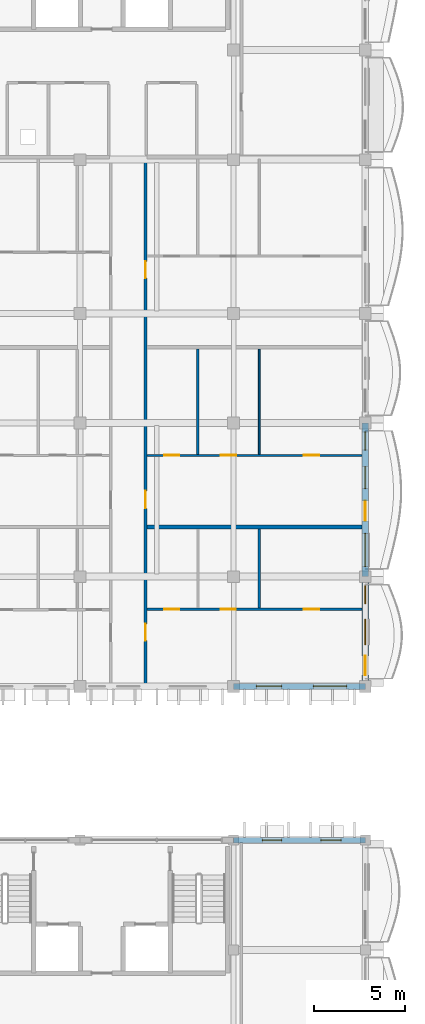
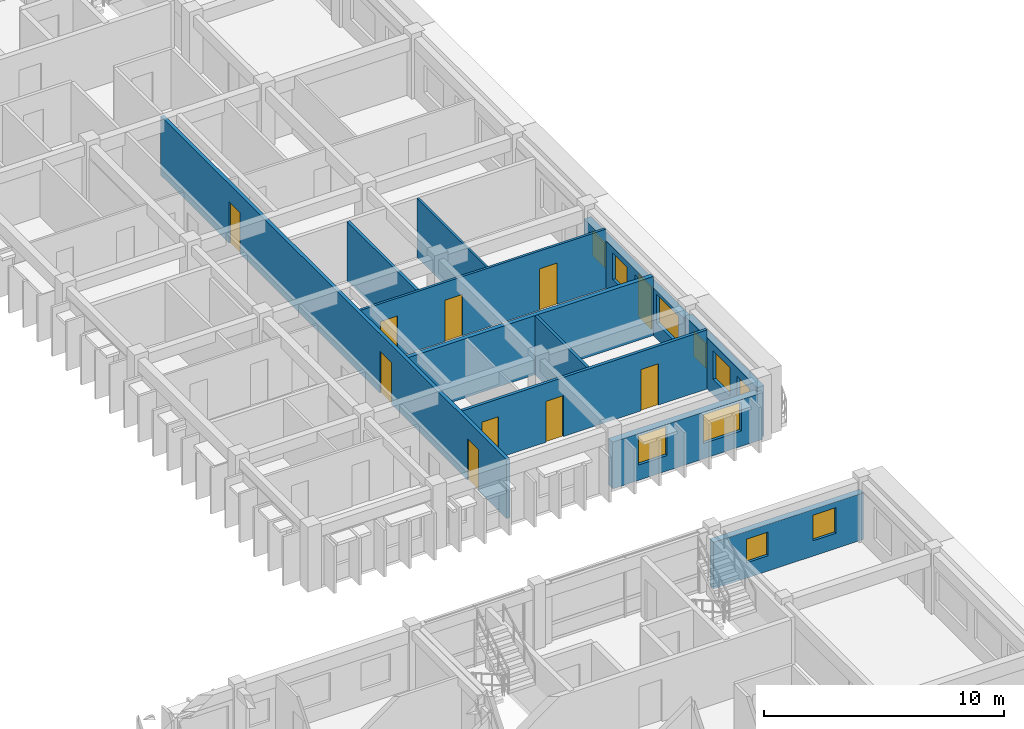
# One storey, part 36 of 70: 11 doors, 11 walls, 9 windows, 20 openings.
"""IFC4 building model written with IfcOpenShell, lengths in metres."""

import ifcopenshell
import ifcopenshell.guid

model = None  # the IFC model being written
_history = None  # IfcOwnerHistory: only IFC2X3 demands one
_inside = {}  # id of a spatial element -> (the spatial element, [elements in it])
_under = {}  # id of a project, library or spatial element -> (it, [spatial elements below it])
_declared = {}  # id of a project -> (the project, [libraries it declares])
_typed = {}  # id of a type object -> (the type object, [elements of that type])
_made_of = {}  # id of a material, layer set ... -> (it, [elements and type objects made of it])


def new_model(schema):
    """Start an empty IFC model of exactly this schema.

    Asked for "IFC4X3", IfcOpenShell would pick the latest addendum, in which some entities
    have other attributes; the version numbers below select the first issue.
    IFC2X3 requires an IfcOwnerHistory on every rooted entity: one is made here for all.
    """
    global model, _history
    if schema == "IFC4X3":
        model = ifcopenshell.file(schema_version=(4, 3, 0, 0))
    else:
        model = ifcopenshell.file(schema=schema)
    _inside.clear()
    _under.clear()
    _declared.clear()
    _typed.clear()
    _made_of.clear()
    _history = None
    if model.schema == "IFC2X3":
        org = make("IfcOrganization", Name="unknown")
        user = make(
            "IfcPersonAndOrganization",
            ThePerson=make("IfcPerson", FamilyName="unknown"),
            TheOrganization=org,
        )
        app = make(
            "IfcApplication",
            ApplicationDeveloper=org,
            Version="unknown",
            ApplicationFullName="unknown",
            ApplicationIdentifier="unknown",
        )
        _history = make(
            "IfcOwnerHistory",
            OwningUser=user,
            OwningApplication=app,
            ChangeAction="ADDED",
            CreationDate=0,
        )
    return model


def make(cls, **values):
    """One entity of the class cls with the attributes given. An attribute that is None is left unset."""
    return model.create_entity(
        cls, **{name: value for name, value in values.items() if value is not None}
    )


def rooted(cls, **values):
    """An entity with a GlobalId (a new one), such as an element, a storey or a relation."""
    return make(cls, GlobalId=ifcopenshell.guid.new(), OwnerHistory=_history, **values)


def si_unit(unit_type, name, prefix=None):
    """IfcSIUnit, for example si_unit("LENGTHUNIT", "METRE", prefix="MILLI")."""
    return make("IfcSIUnit", UnitType=unit_type, Prefix=prefix, Name=name)


def assignment(units):
    """IfcUnitAssignment: the units of a project."""
    return None if units is None else make("IfcUnitAssignment", Units=units)


def point(xyz):
    """IfcCartesianPoint."""
    return None if xyz is None else make("IfcCartesianPoint", Coordinates=xyz)


def direction(xyz):
    """IfcDirection."""
    return None if xyz is None else make("IfcDirection", DirectionRatios=xyz)


def frame(location, z_axis=None, x_axis=None):
    """IfcAxis2Placement3D, a coordinate frame: its origin and axes. An axis left out is left unset."""
    return make(
        "IfcAxis2Placement3D",
        Location=point(location),
        Axis=direction(z_axis),
        RefDirection=direction(x_axis),
    )


def frame_2d(location, x_axis=None):
    """IfcAxis2Placement2D, a coordinate frame in the plane: its origin and x axis."""
    return make(
        "IfcAxis2Placement2D", Location=point(location), RefDirection=direction(x_axis)
    )


def origin():
    """The frame at (0, 0, 0) with its axes left unset."""
    return frame((0.0, 0.0, 0.0))


def place(relative_to, where):
    """IfcLocalPlacement: puts the frame where relative to a parent placement (None: the world)."""
    return make(
        "IfcLocalPlacement", PlacementRelTo=relative_to, RelativePlacement=where
    )


def context(
    kind, dimensions, precision=None, world=None, true_north=None, identifier=None
):
    """IfcGeometricRepresentationContext, for example the 3D "Model" context."""
    return make(
        "IfcGeometricRepresentationContext",
        ContextIdentifier=identifier,
        ContextType=kind,
        CoordinateSpaceDimension=dimensions,
        Precision=precision,
        WorldCoordinateSystem=world,
        TrueNorth=true_north,
    )


def subcontext(parent, identifier, kind, view, scale=None):
    """IfcGeometricRepresentationSubContext, for example "Body" below "Model"."""
    return make(
        "IfcGeometricRepresentationSubContext",
        ContextIdentifier=identifier,
        ContextType=kind,
        ParentContext=parent,
        TargetScale=scale,
        TargetView=view,
    )


def project(units=None, contexts=None):
    """IfcProject with its units and contexts."""
    return rooted(
        "IfcProject",
        Name="project",
        RepresentationContexts=contexts,
        UnitsInContext=assignment(units),
    )


def spatial(cls, under=None, at=None, **own):
    """A site, building, storey or space (cls), placed at a placement, below another one or the project."""
    s = rooted(cls, ObjectPlacement=at, **own)
    if under is not None:
        _under.setdefault(under.id(), (under, []))[1].append(s)
    return s


def profile(cls, at=None, kind="AREA", **sizes):
    """A parametric profile (cls). Its sizes go by their IFC names, for example OverallWidth=200.0."""
    return make(cls, ProfileType=kind, Position=at, **sizes)


def rectangle(**sizes):
    """IfcRectangleProfileDef."""
    return profile("IfcRectangleProfileDef", **sizes)


def extrude(swept, where, along, depth):
    """IfcExtrudedAreaSolid: the profile swept, set in the frame where, extruded along a direction by depth."""
    return make(
        "IfcExtrudedAreaSolid",
        SweptArea=swept,
        Position=where,
        ExtrudedDirection=direction(along),
        Depth=depth,
    )


def shape(context_of_items, identifier, shape_type, items):
    """IfcShapeRepresentation: the items that make up one representation, for example the "Body"."""
    return make(
        "IfcShapeRepresentation",
        ContextOfItems=context_of_items,
        RepresentationIdentifier=identifier,
        RepresentationType=shape_type,
        Items=items,
    )


def material(Name=None, Category=None):
    """IfcMaterial."""
    return make("IfcMaterial", Name=Name, Category=Category)


def layer(
    of_material, thickness, ventilated=None, Name=None, Category=None, Priority=None
):
    """IfcMaterialLayer: one layer of a wall or slab, of a material (None: an air gap)."""
    return make(
        "IfcMaterialLayer",
        Material=of_material,
        LayerThickness=thickness,
        IsVentilated=ventilated,
        Name=Name,
        Category=Category,
        Priority=Priority,
    )


def layer_set(layers, Name=None):
    """IfcMaterialLayerSet."""
    return make("IfcMaterialLayerSet", MaterialLayers=layers, LayerSetName=Name)


def made_of(thing, what):
    """Note that an element or type object is made of a material, layer set ...; save() writes the relation."""
    if what is not None:
        _made_of.setdefault(what.id(), (what, []))[1].append(thing)
    return thing


def type_object(cls, material=None, **own):
    """A type object (cls), such as IfcWallType, which elements share."""
    return made_of(rooted(cls, **own), material)


def element(
    cls,
    number,
    at=None,
    inside=None,
    cuts=None,
    type_object=None,
    material=None,
    context=None,
    identifier="Body",
    shape_type=None,
    held_by="IfcProductDefinitionShape",
    body=None,
    shapes=None,
    **own,
):
    """One element of the class cls, such as IfcWall. Its Tag is "e" and its number.

    at: its placement. inside: the storey or other place that contains it. cuts: it is an
    opening in that element (IfcRelVoidsElement). A single representation is given by context,
    identifier, shape_type and body (its items); several are given by shapes. held_by: the class
    of the entity that holds the representations. save() writes the other relations.
    """
    e = rooted(cls, Tag="e%d" % number, ObjectPlacement=at, **own)
    if body is not None:
        shapes = [shape(context, identifier, shape_type, body)]
    if shapes is not None:
        e.Representation = make(held_by, Representations=shapes)
    if inside is not None:
        _inside.setdefault(inside.id(), (inside, []))[1].append(e)
    if cuts is not None:
        rooted(
            "IfcRelVoidsElement", RelatingBuildingElement=cuts, RelatedOpeningElement=e
        )
    if type_object is not None:
        _typed.setdefault(type_object.id(), (type_object, []))[1].append(e)
    return made_of(e, material)


def fill(opening, filler):
    """IfcRelFillsElement: the door or window that sits in an opening."""
    return rooted(
        "IfcRelFillsElement",
        RelatingOpeningElement=opening,
        RelatedBuildingElement=filler,
    )


def aggregate(whole, parts):
    """IfcRelAggregates: a whole, such as a stair, and the parts it consists of."""
    return rooted("IfcRelAggregates", RelatingObject=whole, RelatedObjects=parts)


def save(model, path):
    """Write the relations noted so far, then the file.

    IfcRelAggregates (storeys below a building ...), IfcRelContainedInSpatialStructure (elements
    in a storey), IfcRelDefinesByType, IfcRelAssociatesMaterial and IfcRelDeclares: one each for
    every whole, place, type object, material and project.
    """
    for whole, parts in _under.values():
        aggregate(whole, parts)
    for where, things in _inside.values():
        rooted(
            "IfcRelContainedInSpatialStructure",
            RelatedElements=things,
            RelatingStructure=where,
        )
    for kind, things in _typed.values():
        rooted("IfcRelDefinesByType", RelatedObjects=things, RelatingType=kind)
    for what, things in _made_of.values():
        rooted("IfcRelAssociatesMaterial", RelatedObjects=things, RelatingMaterial=what)
    for by, libraries in _declared.values():
        rooted("IfcRelDeclares", RelatingContext=by, RelatedDefinitions=libraries)
    model.write(path)


model = new_model("IFC4")

# Units and contexts
model_context = context("Model", 3, precision=1e-05, world=origin(), true_north=direction((0.0, 1.0)))
body_context = subcontext(model_context, "Body", "Model", "MODEL_VIEW")
ifc_project = project(units=[si_unit("LENGTHUNIT", "METRE"), si_unit("AREAUNIT", "SQUARE_METRE"), si_unit("VOLUMEUNIT", "CUBIC_METRE"), si_unit("PLANEANGLEUNIT", "RADIAN"), si_unit("MASSUNIT", "GRAM", prefix="KILO"), si_unit("THERMODYNAMICTEMPERATUREUNIT", "KELVIN")], contexts=[model_context])

# Site, building, storey
site_placement = place(None, origin())
site = spatial("IfcSite", under=ifc_project, at=site_placement, CompositionType="ELEMENT")
building_placement = place(site_placement, origin())
building = spatial("IfcBuilding", under=site, at=building_placement, Name="Thalorik Housing Commons", CompositionType="ELEMENT")
storey_placement = place(building_placement, frame((0.0, 0.0, 14.699951171875)))
storey = spatial("IfcBuildingStorey", under=building, at=storey_placement, Name="L04", CompositionType="ELEMENT", Elevation=14.699951171875)

# Wall, openings, doors
ifc_material_1 = material(Name="Masonry fire-rated corridor wall", Category="masonry")
ifc_layer_1 = layer(ifc_material_1, 0.1650390625, Name="Masonry fire-rated corridor wall", Category="masonry")
ifc_layer_set_1 = layer_set([ifc_layer_1], Name="Masonry fire-rated corridor wall")
wall_type_1 = type_object("IfcWallType", Name="ARC-WAL-CORR-165", PredefinedType="PARTITIONING", material=ifc_layer_set_1)
wall_1_placement = place(storey_placement, frame((161.97998046875, 80.569580078125, 0.0), z_axis=(0.0, 0.0, 1.0), x_axis=(0.0, 1.0, 0.0)))
wall_1 = element("IfcWall", 1, at=wall_1_placement, inside=storey, type_object=wall_type_1, Name="L04 Block B E Corridor Wall 2", PredefinedType="PARTITIONING", context=body_context, shape_type="SweptSolid", body=[
    extrude(rectangle(XDim=28.7705078125, YDim=0.1650390625, at=frame_2d((14.38525390625, 0.0))), origin(), (0.0, 0.0, 1.0), 3.0),
])
opening_1_placement = place(wall_1_placement, frame((2.33154296875, 0.0, 0.0)))
opening_1 = element("IfcOpeningElement", 2, at=opening_1_placement, cuts=wall_1, Name="Opening ID-1169", PredefinedType="OPENING", context=body_context, shape_type="SweptSolid", body=[
    extrude(rectangle(XDim=0.919921875, YDim=2.10009765625, at=frame_2d((0.4599609375, 1.050048828125))), frame((0.0, 0.092529296875, 0.0), z_axis=(0.0, -1.0, 0.0), x_axis=(1.0, 0.0, 0.0)), (0.0, 0.0, 1.0), 0.18505859375),
])
opening_2_placement = place(wall_1_placement, frame((9.5673828125, 0.0, 0.0)))
opening_2 = element("IfcOpeningElement", 3, at=opening_2_placement, cuts=wall_1, Name="Opening ID-1170", PredefinedType="OPENING", context=body_context, shape_type="SweptSolid", body=[
    extrude(rectangle(XDim=0.9599609375, YDim=2.1201171875, at=frame_2d((0.47998046875, 1.06005859375))), frame((0.0, 0.092529296875, 0.0), z_axis=(0.0, -1.0, 0.0), x_axis=(1.0, 0.0, 0.0)), (0.0, 0.0, 1.0), 0.18505859375),
])
opening_3_placement = place(wall_1_placement, frame((22.152587890625, 0.0, 0.0)))
opening_3 = element("IfcOpeningElement", 4, at=opening_3_placement, cuts=wall_1, Name="Opening ID-1171", PredefinedType="OPENING", context=body_context, shape_type="SweptSolid", body=[
    extrude(rectangle(XDim=0.919921875, YDim=2.10009765625, at=frame_2d((0.4599609375, 1.050048828125))), frame((0.0, 0.092529296875, 0.0), z_axis=(0.0, -1.0, 0.0), x_axis=(1.0, 0.0, 0.0)), (0.0, 0.0, 1.0), 0.18505859375),
])
ifc_material_2 = material(Name="Solid core hardwood timber", Category="wood")
door_type_1 = type_object("IfcDoorType", Name="ARC-DR-FD30-920", OperationType="NOTDEFINED", PredefinedType="DOOR", material=ifc_material_2)
door_1_placement = place(opening_1_placement, origin())
door_1 = element("IfcDoor", 5, at=door_1_placement, inside=storey, type_object=door_type_1, Name="L04 Flat BE-1B Entrance Door", OperationType="SINGLE_SWING_RIGHT", OverallHeight=2.10009765625, OverallWidth=0.919921875, PredefinedType="DOOR", context=body_context, shape_type="SweptSolid", body=[
    extrude(rectangle(XDim=0.919921875, YDim=2.10009765625, at=frame_2d((0.4599609375, 1.050048828125))), frame((0.0, 0.02490234375, 0.0), z_axis=(0.0, -1.0, 0.0), x_axis=(1.0, 0.0, 0.0)), (0.0, 0.0, 1.0), 0.050048828125),
])
fill(opening_1, door_1)
door_2_placement = place(opening_3_placement, origin())
door_2 = element("IfcDoor", 6, at=door_2_placement, inside=storey, type_object=door_type_1, Name="L04 Flat BE-3B Entrance Door", OperationType="SINGLE_SWING_RIGHT", OverallHeight=2.10009765625, OverallWidth=0.919921875, PredefinedType="DOOR", context=body_context, shape_type="SweptSolid", body=[
    extrude(rectangle(XDim=0.919921875, YDim=2.10009765625, at=frame_2d((0.4599609375, 1.050048828125))), frame((0.0, 0.02490234375, 0.0), z_axis=(0.0, -1.0, 0.0), x_axis=(1.0, 0.0, 0.0)), (0.0, 0.0, 1.0), 0.050048828125),
])
fill(opening_3, door_2)
door_type_2 = type_object("IfcDoorType", Name="ARC-DR-FD30-960", OperationType="NOTDEFINED", PredefinedType="DOOR", material=ifc_material_2)
door_3_placement = place(opening_2_placement, origin())
door_3 = element("IfcDoor", 7, at=door_3_placement, inside=storey, type_object=door_type_2, Name="L04 Flat BE-2B Entrance Door", OperationType="SINGLE_SWING_LEFT", OverallHeight=2.1201171875, OverallWidth=0.9599609375, PredefinedType="DOOR", context=body_context, shape_type="SweptSolid", body=[
    extrude(rectangle(XDim=0.9599609375, YDim=2.1201171875, at=frame_2d((0.47998046875, 1.06005859375))), frame((0.0, 0.02490234375, 0.0), z_axis=(0.0, -1.0, 0.0), x_axis=(1.0, 0.0, 0.0)), (0.0, 0.0, 1.0), 0.050048828125),
])
fill(opening_2, door_3)

# Wall, openings, windows
ifc_material_3 = material(Name="White precast concrete C40/50", Category="concrete")
ifc_layer_2 = layer(ifc_material_3, 0.304931640625, Name="White precast concrete C40/50", Category="concrete")
ifc_layer_set_2 = layer_set([ifc_layer_2], Name="White precast concrete C40/50")
wall_type_2 = type_object("IfcWallType", Name="ARC-WAL-EXT-305", PredefinedType="STANDARD", material=ifc_layer_set_2)
wall_2_placement = place(storey_placement, frame((174.0, 72.0, 0.0), z_axis=(0.0, 0.0, 1.0), x_axis=(-1.0, 0.0, 0.0)))
wall_2 = element("IfcWall", 8, at=wall_2_placement, inside=storey, type_object=wall_type_2, Name="L04 Exterior Wall WAL-EXT-L04-D-1202", PredefinedType="STANDARD", context=body_context, shape_type="SweptSolid", body=[
    extrude(rectangle(XDim=7.199951171875, YDim=0.304931640625, at=frame_2d((3.60009765625, 0.0))), origin(), (0.0, 0.0, 1.0), 2.375),
])
opening_4_placement = place(wall_2_placement, frame((1.322509765625, 0.0, 0.780029296875)))
opening_4 = element("IfcOpeningElement", 9, at=opening_4_placement, cuts=wall_2, Name="Opening W-03", PredefinedType="OPENING", context=body_context, shape_type="SweptSolid", body=[
    extrude(rectangle(XDim=1.10009765625, YDim=1.300048828125, at=frame_2d((0.550048828125, 0.64990234375))), frame((0.0, 0.16259765625, 0.0), z_axis=(0.0, -1.0, 0.0), x_axis=(1.0, 0.0, 0.0)), (0.0, 0.0, 1.0), 0.324951171875),
])
opening_5_placement = place(wall_2_placement, frame((4.572509765625, 0.0, 0.780029296875)))
opening_5 = element("IfcOpeningElement", 10, at=opening_5_placement, cuts=wall_2, Name="Opening W-44", PredefinedType="OPENING", context=body_context, shape_type="SweptSolid", body=[
    extrude(rectangle(XDim=1.050048828125, YDim=1.199951171875, at=frame_2d((0.52490234375, 0.60009765625))), frame((0.0, 0.16259765625, 0.0), z_axis=(0.0, -1.0, 0.0), x_axis=(1.0, 0.0, 0.0)), (0.0, 0.0, 1.0), 0.324951171875),
])
ifc_material_4 = material(Name="Anodised aluminium and solar-control low-E glass", Category="aluminium")
window_type_1 = type_object("IfcWindowType", Name="ARC-WIN-03", PartitioningType="SINGLE_PANEL", PredefinedType="WINDOW", material=ifc_material_4)
window_1_placement = place(opening_4_placement, origin())
window_1 = element("IfcWindow", 11, at=window_1_placement, inside=storey, type_object=window_type_1, Name="L04 Facade Window 2199", OverallHeight=1.300048828125, OverallWidth=1.10009765625, PartitioningType="SINGLE_PANEL", PredefinedType="WINDOW", context=body_context, shape_type="SweptSolid", body=[
    extrude(rectangle(XDim=1.10009765625, YDim=1.300048828125, at=frame_2d((0.550048828125, 0.64990234375))), frame((0.0, 0.030029296875, 0.0), z_axis=(0.0, -1.0, 0.0), x_axis=(1.0, 0.0, 0.0)), (0.0, 0.0, 1.0), 0.06005859375),
])
fill(opening_4, window_1)
window_type_2 = type_object("IfcWindowType", Name="ARC-WIN-44", PartitioningType="SINGLE_PANEL", PredefinedType="WINDOW", material=ifc_material_4)
window_2_placement = place(opening_5_placement, origin())
window_2 = element("IfcWindow", 12, at=window_2_placement, inside=storey, type_object=window_type_2, Name="L04 Facade Window 2200", OverallHeight=1.199951171875, OverallWidth=1.050048828125, PartitioningType="SINGLE_PANEL", PredefinedType="WINDOW", context=body_context, shape_type="SweptSolid", body=[
    extrude(rectangle(XDim=1.050048828125, YDim=1.199951171875, at=frame_2d((0.52490234375, 0.60009765625))), frame((0.0, 0.030029296875, 0.0), z_axis=(0.0, -1.0, 0.0), x_axis=(1.0, 0.0, 0.0)), (0.0, 0.0, 1.0), 0.06005859375),
])
fill(opening_5, window_2)

ifc_layer_3 = layer(ifc_material_3, 0.3349609375, Name="White precast concrete C40/50", Category="concrete")
ifc_layer_set_3 = layer_set([ifc_layer_3], Name="White precast concrete C40/50")
wall_type_3 = type_object("IfcWallType", Name="ARC-WAL-EXT-335", PredefinedType="STANDARD", material=ifc_layer_set_3)
wall_3_placement = place(storey_placement, frame((166.800048828125, 80.39990234375, 0.0), z_axis=(0.0, 0.0, 1.0), x_axis=(1.0, 0.0, 0.0)))
wall_3 = element("IfcWall", 13, at=wall_3_placement, inside=storey, type_object=wall_type_3, Name="L04 Exterior Wall WAL-EXT-L04-B-0554", PredefinedType="STANDARD", context=body_context, shape_type="SweptSolid", body=[
    extrude(rectangle(XDim=7.199951171875, YDim=0.3349609375, at=frame_2d((3.60009765625, 0.0))), origin(), (0.0, 0.0, 1.0), 2.375),
])
opening_6_placement = place(wall_3_placement, frame((1.239990234375, 0.0, 0.780029296875)))
opening_6 = element("IfcOpeningElement", 14, at=opening_6_placement, cuts=wall_3, Name="Opening W-49", PredefinedType="OPENING", context=body_context, shape_type="SweptSolid", body=[
    extrude(rectangle(XDim=1.3798828125, YDim=1.47998046875, at=frame_2d((0.68994140625, 0.739990234375))), frame((0.0, 0.177490234375, 0.0), z_axis=(0.0, -1.0, 0.0), x_axis=(1.0, 0.0, 0.0)), (0.0, 0.0, 1.0), 0.35498046875),
])
opening_7_placement = place(wall_3_placement, frame((4.360107421875, 0.0, 0.780029296875)))
opening_7 = element("IfcOpeningElement", 15, at=opening_7_placement, cuts=wall_3, Name="Opening W-58", PredefinedType="OPENING", context=body_context, shape_type="SweptSolid", body=[
    extrude(rectangle(XDim=1.820068359375, YDim=1.4599609375, at=frame_2d((0.91015625, 0.72998046875))), frame((0.0, 0.177490234375, 0.0), z_axis=(0.0, -1.0, 0.0), x_axis=(1.0, 0.0, 0.0)), (0.0, 0.0, 1.0), 0.35498046875),
])
window_type_3 = type_object("IfcWindowType", Name="ARC-WIN-49", PartitioningType="SINGLE_PANEL", PredefinedType="WINDOW", material=ifc_material_4)
window_3_placement = place(opening_6_placement, origin())
window_3 = element("IfcWindow", 16, at=window_3_placement, inside=storey, type_object=window_type_3, Name="L04 Facade Window 1006", OverallHeight=1.47998046875, OverallWidth=1.3798828125, PartitioningType="SINGLE_PANEL", PredefinedType="WINDOW", context=body_context, shape_type="SweptSolid", body=[
    extrude(rectangle(XDim=1.3798828125, YDim=1.47998046875, at=frame_2d((0.68994140625, 0.739990234375))), frame((0.0, 0.030029296875, 0.0), z_axis=(0.0, -1.0, 0.0), x_axis=(1.0, 0.0, 0.0)), (0.0, 0.0, 1.0), 0.06005859375),
])
fill(opening_6, window_3)
window_type_4 = type_object("IfcWindowType", Name="ARC-WIN-58", PartitioningType="DOUBLE_PANEL_VERTICAL", PredefinedType="WINDOW", material=ifc_material_4)
window_4_placement = place(opening_7_placement, origin())
window_4 = element("IfcWindow", 17, at=window_4_placement, inside=storey, type_object=window_type_4, Name="L04 Facade Window 1007", OverallHeight=1.4599609375, OverallWidth=1.820068359375, PartitioningType="DOUBLE_PANEL_VERTICAL", PredefinedType="WINDOW", context=body_context, shape_type="SweptSolid", body=[
    extrude(rectangle(XDim=1.820068359375, YDim=1.4599609375, at=frame_2d((0.91015625, 0.72998046875))), frame((0.0, 0.030029296875, 0.0), z_axis=(0.0, -1.0, 0.0), x_axis=(1.0, 0.0, 0.0)), (0.0, 0.0, 1.0), 0.06005859375),
])
fill(opening_7, window_4)

# Wall, openings, door, windows
wall_4_placement = place(storey_placement, frame((174.0, 80.39990234375, 0.0), z_axis=(0.0, 0.0, 1.0), x_axis=(0.0, 1.0, 0.0)))
wall_4 = element("IfcWall", 18, at=wall_4_placement, inside=storey, type_object=wall_type_3, Name="L04 Exterior Wall WAL-EXT-L04-B-0555", PredefinedType="STANDARD", context=body_context, shape_type="SweptSolid", body=[
    extrude(rectangle(XDim=6.0, YDim=0.3349609375, at=frame_2d((3.0, 0.0))), origin(), (0.0, 0.0, 1.0), 2.574951171875),
])
opening_8_placement = place(wall_4_placement, frame((0.6201171875, 0.0, 0.0)))
opening_8 = element("IfcOpeningElement", 19, at=opening_8_placement, cuts=wall_4, Name="Opening ED-0170", PredefinedType="OPENING", context=body_context, shape_type="SweptSolid", body=[
    extrude(rectangle(XDim=1.050048828125, YDim=2.14990234375, at=frame_2d((0.52490234375, 1.074951171875))), frame((0.0, 0.177490234375, 0.0), z_axis=(0.0, -1.0, 0.0), x_axis=(1.0, 0.0, 0.0)), (0.0, 0.0, 1.0), 0.35498046875),
])
opening_9_placement = place(wall_4_placement, frame((2.268310546875, 0.0, 0.780029296875)))
opening_9 = element("IfcOpeningElement", 20, at=opening_9_placement, cuts=wall_4, Name="Opening W-08", PredefinedType="OPENING", context=body_context, shape_type="SweptSolid", body=[
    extrude(rectangle(XDim=1.39990234375, YDim=1.449951171875, at=frame_2d((0.699951171875, 0.72509765625))), frame((0.0, 0.177490234375, 0.0), z_axis=(0.0, -1.0, 0.0), x_axis=(1.0, 0.0, 0.0)), (0.0, 0.0, 1.0), 0.35498046875),
])
opening_10_placement = place(wall_4_placement, frame((4.513427734375, 0.0, 0.780029296875)))
opening_10 = element("IfcOpeningElement", 21, at=opening_10_placement, cuts=wall_4, Name="Opening W-02", PredefinedType="OPENING", context=body_context, shape_type="SweptSolid", body=[
    extrude(rectangle(XDim=1.0, YDim=1.25, at=frame_2d((0.5, 0.625))), frame((0.0, 0.177490234375, 0.0), z_axis=(0.0, -1.0, 0.0), x_axis=(1.0, 0.0, 0.0)), (0.0, 0.0, 1.0), 0.35498046875),
])
ifc_material_5 = material(Name="Anodised aluminium and laminated safety glass", Category="aluminium")
door_type_3 = type_object("IfcDoorType", Name="ARC-DR-BAL-1050", OperationType="NOTDEFINED", PredefinedType="DOOR", material=ifc_material_5)
door_4_placement = place(opening_8_placement, frame((1.050048828125, 0.0, 0.0), z_axis=(0.0, 0.0, 1.0), x_axis=(-1.0, 0.0, 0.0)))
door_4 = element("IfcDoor", 22, at=door_4_placement, inside=storey, type_object=door_type_3, Name="L04 Block B Balcony Glazed Door", OperationType="SINGLE_SWING_LEFT", OverallHeight=2.14990234375, OverallWidth=1.050048828125, PredefinedType="DOOR", context=body_context, shape_type="SweptSolid", body=[
    extrude(rectangle(XDim=1.050048828125, YDim=2.14990234375, at=frame_2d((0.52490234375, 1.074951171875))), frame((0.0, 0.02490234375, 0.0), z_axis=(0.0, -1.0, 0.0), x_axis=(1.0, 0.0, 0.0)), (0.0, 0.0, 1.0), 0.050048828125),
])
fill(opening_8, door_4)
window_type_5 = type_object("IfcWindowType", Name="ARC-WIN-02", PartitioningType="SINGLE_PANEL", PredefinedType="WINDOW", material=ifc_material_4)
window_5_placement = place(opening_10_placement, origin())
window_5 = element("IfcWindow", 23, at=window_5_placement, inside=storey, type_object=window_type_5, Name="L04 Facade Window 1009", OverallHeight=1.25, OverallWidth=1.0, PartitioningType="SINGLE_PANEL", PredefinedType="WINDOW", context=body_context, shape_type="SweptSolid", body=[
    extrude(rectangle(XDim=1.0, YDim=1.25, at=frame_2d((0.5, 0.625))), frame((0.0, 0.030029296875, 0.0), z_axis=(0.0, -1.0, 0.0), x_axis=(1.0, 0.0, 0.0)), (0.0, 0.0, 1.0), 0.06005859375),
])
fill(opening_10, window_5)
window_type_6 = type_object("IfcWindowType", Name="ARC-WIN-08", PartitioningType="SINGLE_PANEL", PredefinedType="WINDOW", material=ifc_material_4)
window_6_placement = place(opening_9_placement, origin())
window_6 = element("IfcWindow", 24, at=window_6_placement, inside=storey, type_object=window_type_6, Name="L04 Facade Window 1008", OverallHeight=1.449951171875, OverallWidth=1.39990234375, PartitioningType="SINGLE_PANEL", PredefinedType="WINDOW", context=body_context, shape_type="SweptSolid", body=[
    extrude(rectangle(XDim=1.39990234375, YDim=1.449951171875, at=frame_2d((0.699951171875, 0.72509765625))), frame((0.0, 0.030029296875, 0.0), z_axis=(0.0, -1.0, 0.0), x_axis=(1.0, 0.0, 0.0)), (0.0, 0.0, 1.0), 0.06005859375),
])
fill(opening_9, window_6)

wall_5_placement = place(storey_placement, frame((174.0, 86.39990234375, 0.0), z_axis=(0.0, 0.0, 1.0), x_axis=(0.0, 1.0, 0.0)))
wall_5 = element("IfcWall", 25, at=wall_5_placement, inside=storey, type_object=wall_type_3, Name="L04 Exterior Wall WAL-EXT-L04-B-0556", PredefinedType="STANDARD", context=body_context, shape_type="SweptSolid", body=[
    extrude(rectangle(XDim=8.400146484375, YDim=0.3349609375, at=frame_2d((4.2001953125, 0.0))), origin(), (0.0, 0.0, 1.0), 2.425048828125),
])
opening_11_placement = place(wall_5_placement, frame((3.050048828125, 0.0, 0.0)))
opening_11 = element("IfcOpeningElement", 26, at=opening_11_placement, cuts=wall_5, Name="Opening ED-0171", PredefinedType="OPENING", context=body_context, shape_type="SweptSolid", body=[
    extrude(rectangle(XDim=1.10009765625, YDim=2.14990234375, at=frame_2d((0.550048828125, 1.074951171875))), frame((0.0, 0.177490234375, 0.0), z_axis=(0.0, -1.0, 0.0), x_axis=(1.0, 0.0, 0.0)), (0.0, 0.0, 1.0), 0.35498046875),
])
opening_12_placement = place(wall_5_placement, frame((0.544921875, 0.0, 0.780029296875)))
opening_12 = element("IfcOpeningElement", 27, at=opening_12_placement, cuts=wall_5, Name="Opening W-58", PredefinedType="OPENING", context=body_context, shape_type="SweptSolid", body=[
    extrude(rectangle(XDim=1.820068359375, YDim=1.4599609375, at=frame_2d((0.91015625, 0.72998046875))), frame((0.0, 0.177490234375, 0.0), z_axis=(0.0, -1.0, 0.0), x_axis=(1.0, 0.0, 0.0)), (0.0, 0.0, 1.0), 0.35498046875),
])
opening_13_placement = place(wall_5_placement, frame((4.81689453125, 0.0, 0.780029296875)))
opening_13 = element("IfcOpeningElement", 28, at=opening_13_placement, cuts=wall_5, Name="Opening W-04", PredefinedType="OPENING", context=body_context, shape_type="SweptSolid", body=[
    extrude(rectangle(XDim=1.199951171875, YDim=1.35009765625, at=frame_2d((0.60009765625, 0.675048828125))), frame((0.0, 0.177490234375, 0.0), z_axis=(0.0, -1.0, 0.0), x_axis=(1.0, 0.0, 0.0)), (0.0, 0.0, 1.0), 0.35498046875),
])
opening_14_placement = place(wall_5_placement, frame((6.921875, 0.0, 0.780029296875)))
opening_14 = element("IfcOpeningElement", 29, at=opening_14_placement, cuts=wall_5, Name="Opening W-02", PredefinedType="OPENING", context=body_context, shape_type="SweptSolid", body=[
    extrude(rectangle(XDim=1.0, YDim=1.25, at=frame_2d((0.5, 0.625))), frame((0.0, 0.177490234375, 0.0), z_axis=(0.0, -1.0, 0.0), x_axis=(1.0, 0.0, 0.0)), (0.0, 0.0, 1.0), 0.35498046875),
])
door_type_4 = type_object("IfcDoorType", Name="ARC-DR-BAL-1100", OperationType="NOTDEFINED", PredefinedType="DOOR", material=ifc_material_5)
door_5_placement = place(opening_11_placement, frame((1.10009765625, 0.0, 0.0), z_axis=(0.0, 0.0, 1.0), x_axis=(-1.0, 0.0, 0.0)))
door_5 = element("IfcDoor", 30, at=door_5_placement, inside=storey, type_object=door_type_4, Name="L04 Block B Balcony Glazed Door", OperationType="SINGLE_SWING_RIGHT", OverallHeight=2.14990234375, OverallWidth=1.10009765625, PredefinedType="DOOR", context=body_context, shape_type="SweptSolid", body=[
    extrude(rectangle(XDim=1.10009765625, YDim=2.14990234375, at=frame_2d((0.550048828125, 1.074951171875))), frame((0.0, 0.02490234375, 0.0), z_axis=(0.0, -1.0, 0.0), x_axis=(1.0, 0.0, 0.0)), (0.0, 0.0, 1.0), 0.050048828125),
])
fill(opening_11, door_5)
window_7_placement = place(opening_14_placement, origin())
window_7 = element("IfcWindow", 31, at=window_7_placement, inside=storey, type_object=window_type_5, Name="L04 Facade Window 1012", OverallHeight=1.25, OverallWidth=1.0, PartitioningType="SINGLE_PANEL", PredefinedType="WINDOW", context=body_context, shape_type="SweptSolid", body=[
    extrude(rectangle(XDim=1.0, YDim=1.25, at=frame_2d((0.5, 0.625))), frame((0.0, 0.030029296875, 0.0), z_axis=(0.0, -1.0, 0.0), x_axis=(1.0, 0.0, 0.0)), (0.0, 0.0, 1.0), 0.06005859375),
])
fill(opening_14, window_7)
window_type_7 = type_object("IfcWindowType", Name="ARC-WIN-04", PartitioningType="SINGLE_PANEL", PredefinedType="WINDOW", material=ifc_material_4)
window_8_placement = place(opening_13_placement, origin())
window_8 = element("IfcWindow", 32, at=window_8_placement, inside=storey, type_object=window_type_7, Name="L04 Facade Window 1011", OverallHeight=1.35009765625, OverallWidth=1.199951171875, PartitioningType="SINGLE_PANEL", PredefinedType="WINDOW", context=body_context, shape_type="SweptSolid", body=[
    extrude(rectangle(XDim=1.199951171875, YDim=1.35009765625, at=frame_2d((0.60009765625, 0.675048828125))), frame((0.0, 0.030029296875, 0.0), z_axis=(0.0, -1.0, 0.0), x_axis=(1.0, 0.0, 0.0)), (0.0, 0.0, 1.0), 0.06005859375),
])
fill(opening_13, window_8)
window_9_placement = place(opening_12_placement, origin())
window_9 = element("IfcWindow", 33, at=window_9_placement, inside=storey, type_object=window_type_4, Name="L04 Facade Window 1010", OverallHeight=1.4599609375, OverallWidth=1.820068359375, PartitioningType="DOUBLE_PANEL_VERTICAL", PredefinedType="WINDOW", context=body_context, shape_type="SweptSolid", body=[
    extrude(rectangle(XDim=1.820068359375, YDim=1.4599609375, at=frame_2d((0.91015625, 0.72998046875))), frame((0.0, 0.030029296875, 0.0), z_axis=(0.0, -1.0, 0.0), x_axis=(1.0, 0.0, 0.0)), (0.0, 0.0, 1.0), 0.06005859375),
])
fill(opening_12, window_9)

# Wall
ifc_material_6 = material(Name="Gypsum light stud partition", Category="masonry")
ifc_layer_4 = layer(ifc_material_6, 0.10009765625, Name="Gypsum light stud partition", Category="masonry")
ifc_layer_set_4 = layer_set([ifc_layer_4], Name="Gypsum light stud partition")
wall_type_4 = type_object("IfcWallType", Name="ARC-WAL-PART-100", PredefinedType="PARTITIONING", material=ifc_layer_set_4)
wall_6_placement = place(storey_placement, frame((168.19921875, 93.093017578125, 0.0), z_axis=(0.0, 0.0, 1.0), x_axis=(0.0, 1.0, 0.0)))
element("IfcWall", 34, at=wall_6_placement, inside=storey, type_object=wall_type_4, Name="L04 Unit 2B Bedroom Partition", PredefinedType="PARTITIONING", context=body_context, shape_type="SweptSolid", body=[
    extrude(rectangle(XDim=5.75244140625, YDim=0.10009765625, at=frame_2d((2.876220703125, 0.0))), origin(), (0.0, 0.0, 1.0), 3.0),
])

# Wall, openings, doors
ifc_material_7 = material(Name="Gypsum moisture-resistant partition", Category="masonry")
ifc_layer_5 = layer(ifc_material_7, 0.114990234375, Name="Gypsum moisture-resistant partition", Category="masonry")
ifc_layer_set_5 = layer_set([ifc_layer_5], Name="Gypsum moisture-resistant partition")
wall_type_5 = type_object("IfcWallType", Name="ARC-WAL-PART-115", PredefinedType="PARTITIONING", material=ifc_layer_set_5)
wall_7_placement = place(storey_placement, frame((162.064453125, 93.03369140625, 0.0), z_axis=(0.0, 0.0, 1.0), x_axis=(1.0, 0.0, 0.0)))
wall_7 = element("IfcWall", 35, at=wall_7_placement, inside=storey, type_object=wall_type_5, Name="L04 Unit 2B Spine Partition", PredefinedType="PARTITIONING", context=body_context, shape_type="SweptSolid", body=[
    extrude(rectangle(XDim=11.76611328125, YDim=0.114990234375, at=frame_2d((5.883056640625, 0.0))), origin(), (0.0, 0.0, 1.0), 3.0),
])
opening_15_placement = place(wall_7_placement, frame((0.95068359375, 0.0, 0.0)))
opening_15 = element("IfcOpeningElement", 36, at=opening_15_placement, cuts=wall_7, Name="Opening ID-1157", PredefinedType="OPENING", context=body_context, shape_type="SweptSolid", body=[
    extrude(rectangle(XDim=0.800048828125, YDim=2.10009765625, at=frame_2d((0.39990234375, 1.050048828125))), frame((0.0, 0.0673828125, 0.0), z_axis=(0.0, -1.0, 0.0), x_axis=(1.0, 0.0, 0.0)), (0.0, 0.0, 1.0), 0.135009765625),
])
opening_16_placement = place(wall_7_placement, frame((4.035400390625, 0.0, 0.0)))
opening_16 = element("IfcOpeningElement", 37, at=opening_16_placement, cuts=wall_7, Name="Opening ID-1158", PredefinedType="OPENING", context=body_context, shape_type="SweptSolid", body=[
    extrude(rectangle(XDim=0.85009765625, YDim=2.10009765625, at=frame_2d((0.425048828125, 1.050048828125))), frame((0.0, 0.0673828125, 0.0), z_axis=(0.0, -1.0, 0.0), x_axis=(1.0, 0.0, 0.0)), (0.0, 0.0, 1.0), 0.135009765625),
])
opening_17_placement = place(wall_7_placement, frame((8.580078125, 0.0, 0.0)))
opening_17 = element("IfcOpeningElement", 38, at=opening_17_placement, cuts=wall_7, Name="Opening ID-1159", PredefinedType="OPENING", context=body_context, shape_type="SweptSolid", body=[
    extrude(rectangle(XDim=0.85009765625, YDim=2.10009765625, at=frame_2d((0.425048828125, 1.050048828125))), frame((0.0, 0.0673828125, 0.0), z_axis=(0.0, -1.0, 0.0), x_axis=(1.0, 0.0, 0.0)), (0.0, 0.0, 1.0), 0.135009765625),
])
ifc_material_8 = material(Name="Moisture-resistant timber", Category="wood")
door_type_5 = type_object("IfcDoorType", Name="ARC-DR-INT-800", OperationType="NOTDEFINED", PredefinedType="DOOR", material=ifc_material_8)
door_6_placement = place(opening_15_placement, origin())
door_6 = element("IfcDoor", 39, at=door_6_placement, inside=storey, type_object=door_type_5, Name="L04 Flat Bathroom Door", OperationType="SINGLE_SWING_RIGHT", OverallHeight=2.10009765625, OverallWidth=0.800048828125, PredefinedType="DOOR", context=body_context, shape_type="SweptSolid", body=[
    extrude(rectangle(XDim=0.800048828125, YDim=2.10009765625, at=frame_2d((0.39990234375, 1.050048828125))), frame((0.0, 0.02490234375, 0.0), z_axis=(0.0, -1.0, 0.0), x_axis=(1.0, 0.0, 0.0)), (0.0, 0.0, 1.0), 0.050048828125),
])
fill(opening_15, door_6)
ifc_material_9 = material(Name="Engineered oak timber", Category="wood")
door_type_6 = type_object("IfcDoorType", Name="ARC-DR-INT-850", OperationType="NOTDEFINED", PredefinedType="DOOR", material=ifc_material_9)
door_7_placement = place(opening_16_placement, origin())
door_7 = element("IfcDoor", 40, at=door_7_placement, inside=storey, type_object=door_type_6, Name="L04 Eat-In Kitchen Door", OperationType="SINGLE_SWING_LEFT", OverallHeight=2.10009765625, OverallWidth=0.85009765625, PredefinedType="DOOR", context=body_context, shape_type="SweptSolid", body=[
    extrude(rectangle(XDim=0.85009765625, YDim=2.10009765625, at=frame_2d((0.425048828125, 1.050048828125))), frame((0.0, 0.02490234375, 0.0), z_axis=(0.0, -1.0, 0.0), x_axis=(1.0, 0.0, 0.0)), (0.0, 0.0, 1.0), 0.050048828125),
])
fill(opening_16, door_7)
door_8_placement = place(opening_17_placement, origin())
door_8 = element("IfcDoor", 41, at=door_8_placement, inside=storey, type_object=door_type_6, Name="L04 Master Bedroom Door", OperationType="SINGLE_SWING_RIGHT", OverallHeight=2.10009765625, OverallWidth=0.85009765625, PredefinedType="DOOR", context=body_context, shape_type="SweptSolid", body=[
    extrude(rectangle(XDim=0.85009765625, YDim=2.10009765625, at=frame_2d((0.425048828125, 1.050048828125))), frame((0.0, 0.02490234375, 0.0), z_axis=(0.0, -1.0, 0.0), x_axis=(1.0, 0.0, 0.0)), (0.0, 0.0, 1.0), 0.050048828125),
])
fill(opening_17, door_8)

# Wall
ifc_material_10 = material(Name="Gypsum acoustic stud partition", Category="masonry")
ifc_layer_6 = layer(ifc_material_10, 0.125, Name="Gypsum acoustic stud partition", Category="masonry")
ifc_layer_set_6 = layer_set([ifc_layer_6], Name="Gypsum acoustic stud partition")
wall_type_6 = type_object("IfcWallType", Name="ARC-WAL-PART-125", PredefinedType="PARTITIONING", material=ifc_layer_set_6)
wall_8_placement = place(storey_placement, frame((168.19921875, 84.688720703125, 0.0), z_axis=(0.0, 0.0, 1.0), x_axis=(0.0, 1.0, 0.0)))
element("IfcWall", 42, at=wall_8_placement, inside=storey, type_object=wall_type_6, Name="L04 Unit 1B Bedroom Partition", PredefinedType="PARTITIONING", context=body_context, shape_type="SweptSolid", body=[
    extrude(rectangle(XDim=4.329345703125, YDim=0.125, at=frame_2d((2.16455078125, 0.0))), origin(), (0.0, 0.0, 1.0), 3.0),
])

# Wall, openings, doors
ifc_material_11 = material(Name="Ceramic masonry partition wall", Category="masonry")
ifc_layer_7 = layer(ifc_material_11, 0.139892578125, Name="Ceramic masonry partition wall", Category="masonry")
ifc_layer_set_7 = layer_set([ifc_layer_7], Name="Ceramic masonry partition wall")
wall_type_7 = type_object("IfcWallType", Name="ARC-WAL-PART-140", PredefinedType="PARTITIONING", material=ifc_layer_set_7)
wall_9_placement = place(storey_placement, frame((162.064453125, 84.61669921875, 0.0), z_axis=(0.0, 0.0, 1.0), x_axis=(1.0, 0.0, 0.0)))
wall_9 = element("IfcWall", 43, at=wall_9_placement, inside=storey, type_object=wall_type_7, Name="L04 Unit 1B Spine Partition", PredefinedType="PARTITIONING", context=body_context, shape_type="SweptSolid", body=[
    extrude(rectangle(XDim=11.76611328125, YDim=0.139892578125, at=frame_2d((5.883056640625, 0.0))), origin(), (0.0, 0.0, 1.0), 3.0),
])
opening_18_placement = place(wall_9_placement, frame((0.95068359375, 0.0, 0.0)))
opening_18 = element("IfcOpeningElement", 44, at=opening_18_placement, cuts=wall_9, Name="Opening ID-1151", PredefinedType="OPENING", context=body_context, shape_type="SweptSolid", body=[
    extrude(rectangle(XDim=0.800048828125, YDim=2.10009765625, at=frame_2d((0.39990234375, 1.050048828125))), frame((0.0, 0.080078125, 0.0), z_axis=(0.0, -1.0, 0.0), x_axis=(1.0, 0.0, 0.0)), (0.0, 0.0, 1.0), 0.159912109375),
])
opening_19_placement = place(wall_9_placement, frame((4.035400390625, 0.0, 0.0)))
opening_19 = element("IfcOpeningElement", 45, at=opening_19_placement, cuts=wall_9, Name="Opening ID-1152", PredefinedType="OPENING", context=body_context, shape_type="SweptSolid", body=[
    extrude(rectangle(XDim=0.820068359375, YDim=2.080078125, at=frame_2d((0.41015625, 1.0400390625))), frame((0.0, 0.080078125, 0.0), z_axis=(0.0, -1.0, 0.0), x_axis=(1.0, 0.0, 0.0)), (0.0, 0.0, 1.0), 0.159912109375),
])
opening_20_placement = place(wall_9_placement, frame((8.580078125, 0.0, 0.0)))
opening_20 = element("IfcOpeningElement", 46, at=opening_20_placement, cuts=wall_9, Name="Opening ID-1153", PredefinedType="OPENING", context=body_context, shape_type="SweptSolid", body=[
    extrude(rectangle(XDim=0.85009765625, YDim=2.10009765625, at=frame_2d((0.425048828125, 1.050048828125))), frame((0.0, 0.080078125, 0.0), z_axis=(0.0, -1.0, 0.0), x_axis=(1.0, 0.0, 0.0)), (0.0, 0.0, 1.0), 0.159912109375),
])
door_9_placement = place(opening_18_placement, origin())
door_9 = element("IfcDoor", 47, at=door_9_placement, inside=storey, type_object=door_type_5, Name="L04 Flat Bathroom Door", OperationType="SINGLE_SWING_RIGHT", OverallHeight=2.10009765625, OverallWidth=0.800048828125, PredefinedType="DOOR", context=body_context, shape_type="SweptSolid", body=[
    extrude(rectangle(XDim=0.800048828125, YDim=2.10009765625, at=frame_2d((0.39990234375, 1.050048828125))), frame((0.0, 0.02490234375, 0.0), z_axis=(0.0, -1.0, 0.0), x_axis=(1.0, 0.0, 0.0)), (0.0, 0.0, 1.0), 0.050048828125),
])
fill(opening_18, door_9)
door_type_7 = type_object("IfcDoorType", Name="ARC-DR-INT-820", OperationType="NOTDEFINED", PredefinedType="DOOR", material=ifc_material_9)
door_10_placement = place(opening_19_placement, origin())
door_10 = element("IfcDoor", 48, at=door_10_placement, inside=storey, type_object=door_type_7, Name="L04 Galley Kitchen Door", OperationType="SINGLE_SWING_LEFT", OverallHeight=2.080078125, OverallWidth=0.820068359375, PredefinedType="DOOR", context=body_context, shape_type="SweptSolid", body=[
    extrude(rectangle(XDim=0.820068359375, YDim=2.080078125, at=frame_2d((0.41015625, 1.0400390625))), frame((0.0, 0.02490234375, 0.0), z_axis=(0.0, -1.0, 0.0), x_axis=(1.0, 0.0, 0.0)), (0.0, 0.0, 1.0), 0.050048828125),
])
fill(opening_19, door_10)
door_11_placement = place(opening_20_placement, origin())
door_11 = element("IfcDoor", 49, at=door_11_placement, inside=storey, type_object=door_type_6, Name="L04 Master Bedroom Door", OperationType="SINGLE_SWING_RIGHT", OverallHeight=2.10009765625, OverallWidth=0.85009765625, PredefinedType="DOOR", context=body_context, shape_type="SweptSolid", body=[
    extrude(rectangle(XDim=0.85009765625, YDim=2.10009765625, at=frame_2d((0.425048828125, 1.050048828125))), frame((0.0, 0.02490234375, 0.0), z_axis=(0.0, -1.0, 0.0), x_axis=(1.0, 0.0, 0.0)), (0.0, 0.0, 1.0), 0.050048828125),
])
fill(opening_20, door_11)

# Walls
wall_10_placement = place(storey_placement, frame((164.850341796875, 93.093017578125, 0.0), z_axis=(0.0, 0.0, 1.0), x_axis=(0.0, 1.0, 0.0)))
element("IfcWall", 50, at=wall_10_placement, inside=storey, type_object=wall_type_7, Name="L04 Unit 2B Wet Wall", PredefinedType="PARTITIONING", context=body_context, shape_type="SweptSolid", body=[
    extrude(rectangle(XDim=5.75244140625, YDim=0.139892578125, at=frame_2d((2.876220703125, 0.0))), origin(), (0.0, 0.0, 1.0), 3.0),
])
ifc_material_12 = material(Name="Precast concrete C40/50 acoustic wall", Category="concrete")
ifc_layer_8 = layer(ifc_material_12, 0.199951171875, Name="Precast concrete C40/50 acoustic wall", Category="concrete")
ifc_layer_set_8 = layer_set([ifc_layer_8], Name="Precast concrete C40/50 acoustic wall")
wall_type_8 = type_object("IfcWallType", Name="ARC-WAL-PARTY-200", PredefinedType="PARTITIONING", material=ifc_layer_set_8)
wall_11_placement = place(storey_placement, frame((162.064453125, 89.1201171875, 0.0), z_axis=(0.0, 0.0, 1.0), x_axis=(1.0, 0.0, 0.0)))
element("IfcWall", 51, at=wall_11_placement, inside=storey, type_object=wall_type_8, Name="L04 Inter-Tenancy Wall 1B", PredefinedType="PARTITIONING", context=body_context, shape_type="SweptSolid", body=[
    extrude(rectangle(XDim=11.76611328125, YDim=0.199951171875, at=frame_2d((5.883056640625, 0.0))), origin(), (0.0, 0.0, 1.0), 3.0),
])

save(model, "model.ifc")
